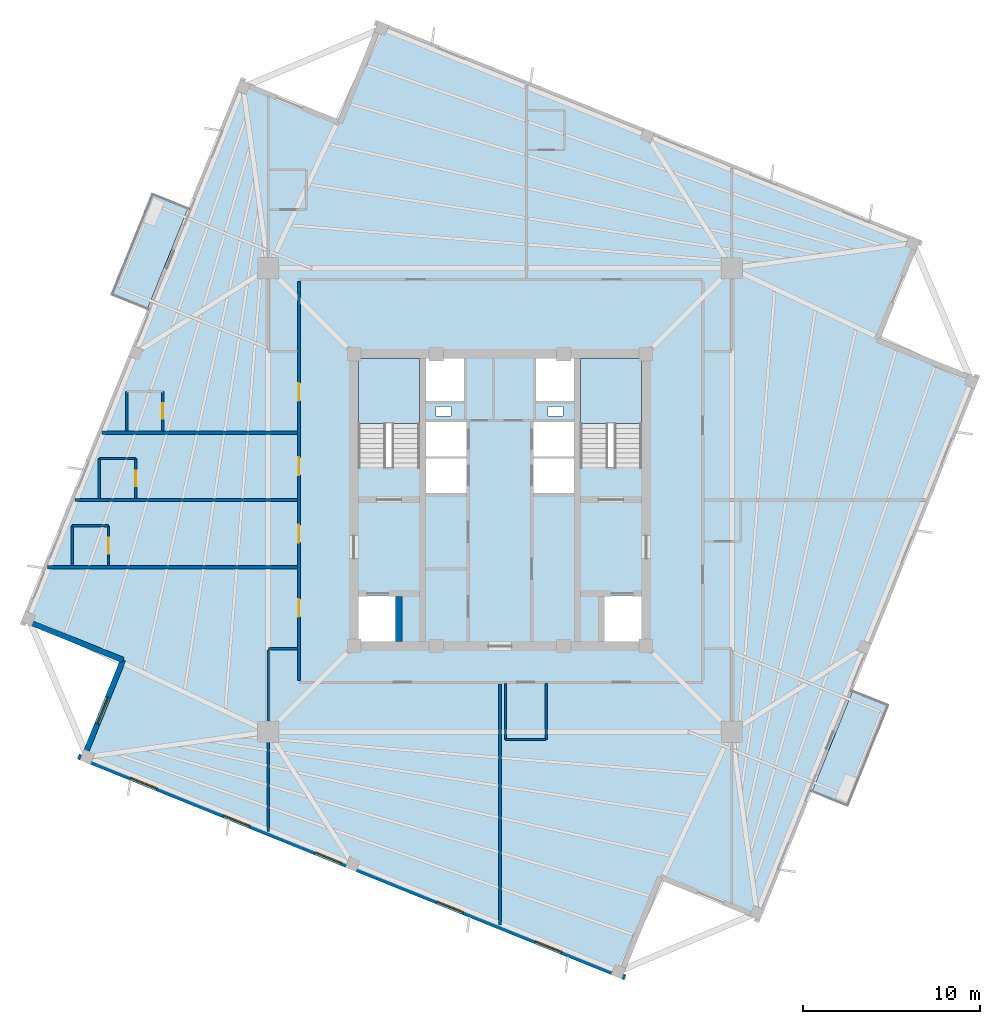
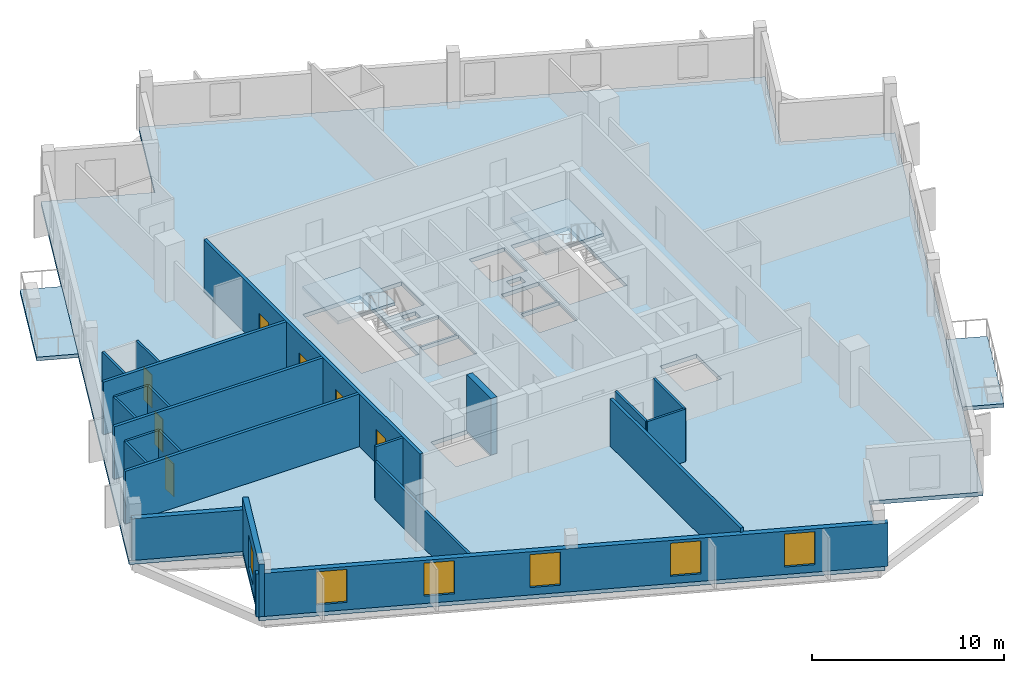
# One storey, part 2 of 8: 22 walls, 7 doors, 6 windows, 5 slabs, 13 openings, 2 elements without a shape of their own.
"""IFC4 building model written with IfcOpenShell, lengths in metres."""

from ifc_helpers import new_model, si_unit, direction, frame, frame_2d, origin, place, context, subcontext, project, spatial, polyline, rectangle, outline, extrude, source, transform, mapped, material, layer, layer_set, type_object, element, fill, aggregate, save


model = new_model("IFC4")

# Units and contexts
model_context = context("Model", 3, precision=1e-05, world=origin(), true_north=direction((0.0, 1.0)))
body_context = subcontext(model_context, "Body", "Model", "MODEL_VIEW")
ifc_project = project(units=[si_unit("LENGTHUNIT", "METRE"), si_unit("AREAUNIT", "SQUARE_METRE"), si_unit("VOLUMEUNIT", "CUBIC_METRE"), si_unit("PLANEANGLEUNIT", "RADIAN"), si_unit("MASSUNIT", "GRAM", prefix="KILO"), si_unit("THERMODYNAMICTEMPERATUREUNIT", "KELVIN")], contexts=[model_context])

# Site, building, storey
site_placement = place(None, origin())
site = spatial("IfcSite", under=ifc_project, at=site_placement, CompositionType="ELEMENT")
building_placement = place(site_placement, origin())
building = spatial("IfcBuilding", under=site, at=building_placement, Name="Kosmvard Interchange Tower", CompositionType="ELEMENT")
storey_placement = place(building_placement, frame((0.0, 0.0, 294.0)))
storey = spatial("IfcBuildingStorey", under=building, at=storey_placement, Name="L72", CompositionType="ELEMENT", Elevation=294.0)

# Slab
ifc_material_1 = material(Name="Concrete C50/60", Category="concrete")
ifc_layer_1 = layer(ifc_material_1, 0.25, Name="Concrete C50/60")
ifc_layer_set_1 = layer_set([ifc_layer_1], Name="Concrete C50/60")
slab_type_1 = type_object("IfcSlabType", Name="Hotel Acoustic Floor Slab 250 C50/60", PredefinedType="FLOOR", material=ifc_layer_set_1)
slab_1_placement = place(storey_placement, frame((0.0, 0.0, -0.25)))
element("IfcSlab", 1, at=slab_1_placement, inside=storey, type_object=slab_type_1, Name="L72 Structural Floor Slab", PredefinedType="FLOOR", context=body_context, shape_type="SweptSolid", body=[
    extrude(outline(polyline([(14.6806640625, -23.727294921875), (27.042724609375, 6.869873046875), (21.4794921875, 9.117431640625), (23.727294921875, 14.6806640625), (-6.869873046875, 27.042724609375), (-9.117431640625, 21.4794921875), (-14.6806640625, 23.727294921875), (-27.042724609375, -6.869873046875), (-21.4794921875, -9.117431640625), (-23.727294921875, -14.6806640625), (6.869873046875, -27.042724609375), (9.117431640625, -21.4794921875), (14.6806640625, -23.727294921875)]), holes=[polyline([(-8.0, 1.8349609375), (-4.5400390625, 1.8349609375), (-4.5400390625, 8.0), (-8.0, 8.0), (-8.0, 1.8349609375)]), polyline([(4.5400390625, 1.8349609375), (8.0, 1.8349609375), (8.0, 8.0), (4.5400390625, 8.0), (4.5400390625, 1.8349609375)]), polyline([(-8.0, -8.0), (-5.800048828125, -8.0), (-5.800048828125, -5.39990234375), (-8.0, -5.39990234375), (-8.0, -8.0)]), polyline([(5.800048828125, -8.0), (8.0, -8.0), (8.0, -5.39990234375), (5.800048828125, -5.39990234375), (5.800048828125, -8.0)]), polyline([(-4.179931640625, 0.39990234375), (-1.8798828125, 0.39990234375), (-1.8798828125, 2.340087890625), (-4.179931640625, 2.340087890625), (-4.179931640625, 0.39990234375)]), polyline([(-4.179931640625, 2.4599609375), (-1.8798828125, 2.4599609375), (-1.8798828125, 4.39990234375), (-4.179931640625, 4.39990234375), (-4.179931640625, 2.4599609375)]), polyline([(1.8798828125, 0.39990234375), (4.179931640625, 0.39990234375), (4.179931640625, 2.340087890625), (1.8798828125, 2.340087890625), (1.8798828125, 0.39990234375)]), polyline([(1.8798828125, 2.4599609375), (4.179931640625, 2.4599609375), (4.179931640625, 4.39990234375), (1.8798828125, 4.39990234375), (1.8798828125, 2.4599609375)]), polyline([(-4.179931640625, 5.60009765625), (-2.0400390625, 5.60009765625), (-2.0400390625, 8.0), (-4.179931640625, 8.0), (-4.179931640625, 5.60009765625)]), polyline([(2.0400390625, 5.60009765625), (4.179931640625, 5.60009765625), (4.179931640625, 8.0), (2.0400390625, 8.0), (2.0400390625, 5.60009765625)]), polyline([(-3.614990234375, 4.739990234375), (-2.764892578125, 4.739990234375), (-2.764892578125, 5.2900390625), (-3.614990234375, 5.2900390625), (-3.614990234375, 4.739990234375)]), polyline([(2.715087890625, 4.739990234375), (3.56494140625, 4.739990234375), (3.56494140625, 5.2900390625), (2.715087890625, 5.2900390625), (2.715087890625, 4.739990234375)])]), origin(), (0.0, 0.0, 1.0), 0.25),
])

# Stair, slab
stair_type = type_object("IfcStairType", Name="Dog-Leg Core Exit Stair H3600 C50/60", PredefinedType="HALF_TURN_STAIR", material=ifc_material_1)
stair_1_placement = place(storey_placement, origin())
stair_1 = element("IfcStair", 2, at=stair_1_placement, inside=storey, type_object=stair_type, Name="L72 Protected Exit Stair ST-1", PredefinedType="HALF_TURN_STAIR")
ifc_layer_2 = layer(ifc_material_1, 0.199951171875, Name="Concrete C50/60")
ifc_layer_set_2 = layer_set([ifc_layer_2], Name="Concrete C50/60")
slab_type_2 = type_object("IfcSlabType", Name="Stair Half-Landing Slab 200 C50/60", PredefinedType="LANDING", material=ifc_layer_set_2)
slab_2_placement = place(storey_placement, frame((0.0, 0.0, 1.60009765625)))
slab_2 = element("IfcSlab", 3, at=slab_2_placement, type_object=slab_type_2, Name="ST-1 landing 1", PredefinedType="LANDING", context=body_context, shape_type="SweptSolid", body=[
    extrude(outline(polyline([(-4.5400390625, 4.320068359375), (-4.5400390625, 8.0), (-8.0, 8.0), (-8.0, 4.320068359375), (-4.5400390625, 4.320068359375)])), origin(), (0.0, 0.0, 1.0), 0.199951171875),
])
aggregate(stair_1, [slab_2])

stair_2_placement = place(storey_placement, origin())
stair_2 = element("IfcStair", 4, at=stair_2_placement, inside=storey, type_object=stair_type, Name="L72 Protected Exit Stair ST-2", PredefinedType="HALF_TURN_STAIR")
slab_3_placement = place(storey_placement, frame((0.0, 0.0, 1.60009765625)))
slab_3 = element("IfcSlab", 5, at=slab_3_placement, type_object=slab_type_2, Name="ST-2 landing 1", PredefinedType="LANDING", context=body_context, shape_type="SweptSolid", body=[
    extrude(outline(polyline([(8.0, 4.320068359375), (8.0, 8.0), (4.5400390625, 8.0), (4.5400390625, 4.320068359375), (8.0, 4.320068359375)])), origin(), (0.0, 0.0, 1.0), 0.199951171875),
])
aggregate(stair_2, [slab_3])

# Slabs
ifc_layer_3 = layer(ifc_material_1, 0.22998046875, Name="Concrete C50/60")
ifc_layer_set_3 = layer_set([ifc_layer_3], Name="Concrete C50/60")
slab_type_3 = type_object("IfcSlabType", Name="Tree-Planter Cantilever Balcony Slab 230 C50/60", PredefinedType="FLOOR", material=ifc_layer_set_3)
slab_4_placement = place(storey_placement, frame((0.0, 0.0, -0.22998046875)))
element("IfcSlab", 6, at=slab_4_placement, inside=storey, type_object=slab_type_3, Name="L72 Outdoor Terrace Balcony Slab BAL-L72-N", PredefinedType="FLOOR", context=body_context, shape_type="SweptSolid", body=[
    extrude(outline(polyline([(-19.925048828125, 10.74658203125), (-17.6025390625, 16.4951171875), (-19.642333984375, 17.3193359375), (-21.96484375, 11.57080078125), (-19.925048828125, 10.74658203125)])), origin(), (0.0, 0.0, 1.0), 0.22998046875),
])
slab_5_placement = place(storey_placement, frame((0.0, 0.0, -0.22998046875)))
element("IfcSlab", 7, at=slab_5_placement, inside=storey, type_object=slab_type_3, Name="L72 Outdoor Terrace Balcony Slab BAL-L72-S", PredefinedType="FLOOR", context=body_context, shape_type="SweptSolid", body=[
    extrude(outline(polyline([(19.642333984375, -17.3193359375), (21.96484375, -11.57080078125), (19.925048828125, -10.74658203125), (17.6025390625, -16.4951171875), (19.642333984375, -17.3193359375)])), origin(), (0.0, 0.0, 1.0), 0.22998046875),
])

# Walls
ifc_material_2 = material(Name="Acoustic gypsum partition system")
ifc_layer_4 = layer(ifc_material_2, 0.14990234375, Name="Acoustic gypsum partition system")
ifc_layer_set_4 = layer_set([ifc_layer_4], Name="Acoustic gypsum partition system")
wall_type_1 = type_object("IfcWallType", Name="Acoustic Suite & Meeting Partition 150", PredefinedType="PARTITIONING", material=ifc_layer_set_4)
wall_1_placement = place(storey_placement, frame((-11.445068359375, -8.39990234375, 0.0), z_axis=(0.0, 0.0, 1.0), x_axis=(-1.0, 0.0, 0.0)))
element("IfcWall", 8, at=wall_1_placement, inside=storey, type_object=wall_type_1, Name="L72 Room Partition 13.1", PredefinedType="PARTITIONING", context=body_context, shape_type="SweptSolid", body=[
    extrude(rectangle(XDim=1.635986328125, YDim=0.14990234375, at=frame_2d((0.81787109375, 0.0))), origin(), (0.0, 0.0, 1.0), 3.35009765625),
])
wall_2_placement = place(storey_placement, frame((-13.0810546875, -8.47509765625, 0.0), z_axis=(0.0, 0.0, 1.0), x_axis=(0.0, -1.0, 0.0)))
element("IfcWall", 9, at=wall_2_placement, inside=storey, type_object=wall_type_1, Name="L72 Room Partition 14.1", PredefinedType="PARTITIONING", context=body_context, shape_type="SweptSolid", body=[
    extrude(rectangle(XDim=10.24267578125, YDim=0.14990234375, at=frame_2d((5.121337890625, 0.0))), origin(), (0.0, 0.0, 1.0), 2.449951171875),
])

# Wall, openings, doors
ifc_material_3 = material(Name="Fire-rated gypsum partition system")
ifc_layer_5 = layer(ifc_material_3, 0.179931640625, Name="Fire-rated gypsum partition system")
ifc_layer_set_5 = layer_set([ifc_layer_5], Name="Fire-rated gypsum partition system")
wall_type_2 = type_object("IfcWallType", Name="Corridor & Hotel Compartment Partition 180", PredefinedType="PARTITIONING", material=ifc_layer_set_5)
wall_3_placement = place(storey_placement, frame((-11.35009765625, -10.199951171875, 0.0), z_axis=(0.0, 0.0, 1.0), x_axis=(0.0, 1.0, 0.0)))
wall_3 = element("IfcWall", 10, at=wall_3_placement, inside=storey, type_object=wall_type_2, Name="L72 Corridor Wall CW", PredefinedType="PARTITIONING", context=body_context, shape_type="SweptSolid", body=[
    extrude(rectangle(XDim=22.550048828125, YDim=0.179931640625, at=frame_2d((11.27490234375, 0.0))), origin(), (0.0, 0.0, 1.0), 3.35009765625),
])
opening_1_placement = place(wall_3_placement, frame((11.60009765625, 0.0, 0.0)))
opening_1 = element("IfcOpeningElement", 11, at=opening_1_placement, cuts=wall_3, Name="Opening L72-D02", PredefinedType="OPENING", context=body_context, shape_type="SweptSolid", body=[
    extrude(rectangle(XDim=1.0, YDim=2.14990234375, at=frame_2d((0.5, 1.074951171875))), frame((0.0, 0.10009765625, 0.0), z_axis=(0.0, -1.0, 0.0), x_axis=(1.0, 0.0, 0.0)), (0.0, 0.0, 1.0), 0.199951171875),
])
opening_2_placement = place(wall_3_placement, frame((15.800048828125, 0.0, 0.0)))
opening_2 = element("IfcOpeningElement", 12, at=opening_2_placement, cuts=wall_3, Name="Opening L72-D04", PredefinedType="OPENING", context=body_context, shape_type="SweptSolid", body=[
    extrude(rectangle(XDim=1.0, YDim=2.14990234375, at=frame_2d((0.5, 1.074951171875))), frame((0.0, 0.10009765625, 0.0), z_axis=(0.0, -1.0, 0.0), x_axis=(1.0, 0.0, 0.0)), (0.0, 0.0, 1.0), 0.199951171875),
])
opening_3_placement = place(wall_3_placement, frame((3.60009765625, 0.0, 0.0)))
opening_3 = element("IfcOpeningElement", 13, at=opening_3_placement, cuts=wall_3, Name="Opening L72-D15", PredefinedType="OPENING", context=body_context, shape_type="SweptSolid", body=[
    extrude(rectangle(XDim=1.0, YDim=2.14990234375, at=frame_2d((0.5, 1.074951171875))), frame((0.0, 0.10009765625, 0.0), z_axis=(0.0, -1.0, 0.0), x_axis=(1.0, 0.0, 0.0)), (0.0, 0.0, 1.0), 0.199951171875),
])
opening_4_placement = place(wall_3_placement, frame((7.800048828125, 0.0, 0.0)))
opening_4 = element("IfcOpeningElement", 14, at=opening_4_placement, cuts=wall_3, Name="Opening L72-D16", PredefinedType="OPENING", context=body_context, shape_type="SweptSolid", body=[
    extrude(rectangle(XDim=1.0, YDim=2.14990234375, at=frame_2d((0.5, 1.074951171875))), frame((0.0, 0.10009765625, 0.0), z_axis=(0.0, -1.0, 0.0), x_axis=(1.0, 0.0, 0.0)), (0.0, 0.0, 1.0), 0.199951171875),
])
ifc_material_4 = material(Name="Engineered oak fire-rated timber", Category="wood")
door_type_1 = type_object("IfcDoorType", Name="Hotel Guestroom Entrance Door 1000x2150 EI60", OperationType="NOTDEFINED", PredefinedType="DOOR", material=ifc_material_4)
shared_shape_1 = source(origin(), body_context, "Body", "SweptSolid", [
    extrude(rectangle(XDim=1.0, YDim=2.14990234375, at=frame_2d((0.5, 1.074951171875))), frame((0.0, 0.02490234375, 0.0), z_axis=(0.0, -1.0, 0.0), x_axis=(1.0, 0.0, 0.0)), (0.0, 0.0, 1.0), 0.050048828125),
])
door_1_placement = place(opening_1_placement, origin())
door_1 = element("IfcDoor", 15, at=door_1_placement, inside=storey, type_object=door_type_1, Name="L72 Hotel Diplomatic Suite 1 Door", OperationType="SINGLE_SWING_RIGHT", OverallHeight=2.14990234375, OverallWidth=1.0, PredefinedType="DOOR", context=body_context, shape_type="MappedRepresentation", body=[
    mapped(shared_shape_1, transform((0.0, 0.0, 0.0), scale=1.0)),
])
fill(opening_1, door_1)
door_2_placement = place(opening_2_placement, origin())
door_2 = element("IfcDoor", 16, at=door_2_placement, inside=storey, type_object=door_type_1, Name="L72 Hotel Ambassador Suite 2 Door", OperationType="SINGLE_SWING_RIGHT", OverallHeight=2.14990234375, OverallWidth=1.0, PredefinedType="DOOR", context=body_context, shape_type="MappedRepresentation", body=[
    mapped(shared_shape_1, transform((0.0, 0.0, 0.0), scale=1.0)),
])
fill(opening_2, door_2)
door_3_placement = place(opening_3_placement, origin())
door_3 = element("IfcDoor", 17, at=door_3_placement, inside=storey, type_object=door_type_1, Name="L72 Hotel Treaty Briefing Room 2 Door", OperationType="SINGLE_SWING_LEFT", OverallHeight=2.14990234375, OverallWidth=1.0, PredefinedType="DOOR", context=body_context, shape_type="MappedRepresentation", body=[
    mapped(shared_shape_1, transform((0.0, 0.0, 0.0), scale=1.0)),
])
fill(opening_3, door_3)
door_4_placement = place(opening_4_placement, origin())
door_4 = element("IfcDoor", 18, at=door_4_placement, inside=storey, type_object=door_type_1, Name="L72 Hotel North-West Corner Suite 6 Door", OperationType="SINGLE_SWING_RIGHT", OverallHeight=2.14990234375, OverallWidth=1.0, PredefinedType="DOOR", context=body_context, shape_type="MappedRepresentation", body=[
    mapped(shared_shape_1, transform((0.0, 0.0, 0.0), scale=1.0)),
])
fill(opening_4, door_4)

# Walls
wall_4_placement = place(storey_placement, frame((0.0, -10.39501953125, 0.0), z_axis=(0.0, 0.0, 1.0), x_axis=(0.0, -1.0, 0.0)))
element("IfcWall", 19, at=wall_4_placement, inside=storey, type_object=wall_type_2, Name="L72 Room Partition 03.1", PredefinedType="PARTITIONING", context=body_context, shape_type="SweptSolid", body=[
    extrude(rectangle(XDim=13.607666015625, YDim=0.179931640625, at=frame_2d((6.8037109375, 0.0))), origin(), (0.0, 0.0, 1.0), 3.02001953125),
])
wall_5_placement = place(storey_placement, frame((-11.445068359375, -3.800048828125, 0.0), z_axis=(0.0, 0.0, 1.0), x_axis=(-1.0, 0.0, 0.0)))
element("IfcWall", 20, at=wall_5_placement, inside=storey, type_object=wall_type_2, Name="L72 Room Partition 04.1", PredefinedType="PARTITIONING", context=body_context, shape_type="SweptSolid", body=[
    extrude(rectangle(XDim=14.093017578125, YDim=0.179931640625, at=frame_2d((7.04638671875, 0.0))), origin(), (0.0, 0.0, 1.0), 3.35009765625),
])
wall_6_placement = place(storey_placement, frame((-11.445068359375, 0.0, 0.0), z_axis=(0.0, 0.0, 1.0), x_axis=(-1.0, 0.0, 0.0)))
element("IfcWall", 21, at=wall_6_placement, inside=storey, type_object=wall_type_2, Name="L72 Room Partition 05.1", PredefinedType="PARTITIONING", context=body_context, shape_type="SweptSolid", body=[
    extrude(rectangle(XDim=12.5576171875, YDim=0.179931640625, at=frame_2d((6.27880859375, 0.0))), origin(), (0.0, 0.0, 1.0), 3.35009765625),
])
wall_7_placement = place(storey_placement, frame((-11.445068359375, 3.800048828125, 0.0), z_axis=(0.0, 0.0, 1.0), x_axis=(-1.0, 0.0, 0.0)))
element("IfcWall", 22, at=wall_7_placement, inside=storey, type_object=wall_type_2, Name="L72 Room Partition 06.1", PredefinedType="PARTITIONING", context=body_context, shape_type="SweptSolid", body=[
    extrude(rectangle(XDim=11.0224609375, YDim=0.179931640625, at=frame_2d((5.51123046875, 0.0))), origin(), (0.0, 0.0, 1.0), 3.35009765625),
])
ifc_material_5 = material(Name="Concrete C60/75", Category="concrete")
ifc_layer_6 = layer(ifc_material_5, 0.360107421875, Name="Concrete C60/75")
ifc_layer_set_6 = layer_set([ifc_layer_6], Name="Concrete C60/75")
wall_type_3 = type_object("IfcWallType", Name="Stair & Lift Shaft Shear Wall 360 C60/75", PredefinedType="SHEAR", material=ifc_layer_set_6)
wall_8_placement = place(storey_placement, frame((-5.7099609375, -8.0, 0.0), z_axis=(0.0, 0.0, 1.0), x_axis=(0.0, 1.0, 0.0)))
element("IfcWall", 23, at=wall_8_placement, inside=storey, type_object=wall_type_3, Name="L72 Shaft Shear Wall SW-SM1", PredefinedType="SHEAR", context=body_context, shape_type="SweptSolid", body=[
    extrude(rectangle(XDim=2.5400390625, YDim=0.360107421875, at=frame_2d((1.27001953125, 0.0))), origin(), (0.0, 0.0, 1.0), 3.60009765625),
])
ifc_material_6 = material(Name="Precast concrete C45/55", Category="concrete")
ifc_layer_7 = layer(ifc_material_6, 0.31005859375, Name="Precast concrete C45/55")
ifc_layer_set_7 = layer_set([ifc_layer_7], Name="Precast concrete C45/55")
wall_type_4 = type_object("IfcWallType", Name="Upper Tower Precast Pier Wall 310 C45/55", PredefinedType="STANDARD", material=ifc_layer_set_7)
wall_9_placement = place(storey_placement, frame((-26.8408203125, -6.7841796875, 0.0), z_axis=(0.0, 0.0, 1.0), x_axis=(0.927171722085, -0.374636620962, 0.0)))
element("IfcWall", 24, at=wall_9_placement, inside=storey, type_object=wall_type_4, Name="L72 Precast Facade Wall N-NW1", PredefinedType="STANDARD", context=body_context, shape_type="SweptSolid", body=[
    extrude(rectangle(XDim=6.0, YDim=0.31005859375, at=frame_2d((3.0, 0.0))), origin(), (0.0, 0.0, 1.0), 2.64990234375),
])

# Wall, opening, window
wall_10_placement = place(storey_placement, frame((-21.27783203125, -9.031982421875, 0.0), z_axis=(0.0, 0.0, 1.0), x_axis=(-0.374602739196, -0.927185411764, 0.0)))
wall_10 = element("IfcWall", 25, at=wall_10_placement, inside=storey, type_object=wall_type_4, Name="L72 Precast Facade Wall N-NW2", PredefinedType="STANDARD", context=body_context, shape_type="SweptSolid", body=[
    extrude(rectangle(XDim=6.155029296875, YDim=0.31005859375, at=frame_2d((3.07763671875, 0.0))), origin(), (0.0, 0.0, 1.0), 3.35009765625),
])
opening_5_placement = place(wall_10_placement, frame((2.277587890625, 0.0, 0.469970703125)))
opening_5 = element("IfcOpeningElement", 26, at=opening_5_placement, cuts=wall_10, Name="Opening L72-W22", PredefinedType="OPENING", context=body_context, shape_type="SweptSolid", body=[
    extrude(rectangle(XDim=1.60009765625, YDim=2.10009765625, at=frame_2d((0.800048828125, 1.050048828125))), frame((0.0, 0.1650390625, 0.0), z_axis=(0.0, -1.0, 0.0), x_axis=(1.0, 0.0, 0.0)), (0.0, 0.0, 1.0), 0.330078125),
])
ifc_material_7 = material(Name="Low-E acoustic double glazing", Category="glass")
window_type = type_object("IfcWindowType", Name="Zone 5 Hotel Punched Window 1600x2100", PartitioningType="SINGLE_PANEL", PredefinedType="WINDOW", material=ifc_material_7)
shared_shape_2 = source(origin(), body_context, "Body", "SweptSolid", [
    extrude(rectangle(XDim=1.60009765625, YDim=2.10009765625, at=frame_2d((0.800048828125, 1.050048828125))), frame((0.0, 0.030029296875, 0.0), z_axis=(0.0, -1.0, 0.0), x_axis=(1.0, 0.0, 0.0)), (0.0, 0.0, 1.0), 0.06005859375),
])
window_1_placement = place(opening_5_placement, origin())
window_1 = element("IfcWindow", 27, at=window_1_placement, inside=storey, type_object=window_type, Name="L72 Corner Notch Window 22", OverallHeight=2.10009765625, OverallWidth=1.60009765625, PartitioningType="SINGLE_PANEL", PredefinedType="WINDOW", context=body_context, shape_type="MappedRepresentation", body=[
    mapped(shared_shape_2, transform((0.0, 0.0, 0.0), scale=1.0)),
])
fill(opening_5, window_1)

# Wall, openings, windows
wall_11_placement = place(storey_placement, frame((-23.812744140625, -14.478759765625, 0.0), z_axis=(0.0, 0.0, 1.0), x_axis=(0.927182657188, -0.374609557019, 0.0)))
wall_11 = element("IfcWall", 28, at=wall_11_placement, inside=storey, type_object=wall_type_4, Name="L72 Precast Facade Wall F-W", PredefinedType="STANDARD", context=body_context, shape_type="SweptSolid", body=[
    extrude(rectangle(XDim=33.31005859375, YDim=0.31005859375, at=frame_2d((16.655029296875, 0.0))), origin(), (0.0, 0.0, 1.0), 2.75),
])
opening_6_placement = place(wall_11_placement, frame((3.197265625, 0.0, 0.469970703125)))
opening_6 = element("IfcOpeningElement", 29, at=opening_6_placement, cuts=wall_11, Name="Opening L72-W15", PredefinedType="OPENING", context=body_context, shape_type="SweptSolid", body=[
    extrude(rectangle(XDim=1.60009765625, YDim=2.10009765625, at=frame_2d((0.800048828125, 1.050048828125))), frame((0.0, 0.1650390625, 0.0), z_axis=(0.0, -1.0, 0.0), x_axis=(1.0, 0.0, 0.0)), (0.0, 0.0, 1.0), 0.330078125),
])
opening_7_placement = place(wall_11_placement, frame((8.85986328125, 0.0, 0.469970703125)))
opening_7 = element("IfcOpeningElement", 30, at=opening_7_placement, cuts=wall_11, Name="Opening L72-W16", PredefinedType="OPENING", context=body_context, shape_type="SweptSolid", body=[
    extrude(rectangle(XDim=1.60009765625, YDim=2.10009765625, at=frame_2d((0.800048828125, 1.050048828125))), frame((0.0, 0.1650390625, 0.0), z_axis=(0.0, -1.0, 0.0), x_axis=(1.0, 0.0, 0.0)), (0.0, 0.0, 1.0), 0.330078125),
])
opening_8_placement = place(wall_11_placement, frame((14.438720703125, 0.0, 0.469970703125)))
opening_8 = element("IfcOpeningElement", 31, at=opening_8_placement, cuts=wall_11, Name="Opening L72-W17", PredefinedType="OPENING", context=body_context, shape_type="SweptSolid", body=[
    extrude(rectangle(XDim=1.60009765625, YDim=2.10009765625, at=frame_2d((0.800048828125, 1.050048828125))), frame((0.0, 0.1650390625, 0.0), z_axis=(0.0, -1.0, 0.0), x_axis=(1.0, 0.0, 0.0)), (0.0, 0.0, 1.0), 0.330078125),
])
opening_9_placement = place(wall_11_placement, frame((21.850830078125, 0.0, 0.469970703125)))
opening_9 = element("IfcOpeningElement", 32, at=opening_9_placement, cuts=wall_11, Name="Opening L72-W18", PredefinedType="OPENING", context=body_context, shape_type="SweptSolid", body=[
    extrude(rectangle(XDim=1.60009765625, YDim=2.10009765625, at=frame_2d((0.800048828125, 1.050048828125))), frame((0.0, 0.1650390625, 0.0), z_axis=(0.0, -1.0, 0.0), x_axis=(1.0, 0.0, 0.0)), (0.0, 0.0, 1.0), 0.330078125),
])
opening_10_placement = place(wall_11_placement, frame((27.8466796875, 0.0, 0.469970703125)))
opening_10 = element("IfcOpeningElement", 33, at=opening_10_placement, cuts=wall_11, Name="Opening L72-W19", PredefinedType="OPENING", context=body_context, shape_type="SweptSolid", body=[
    extrude(rectangle(XDim=1.60009765625, YDim=2.10009765625, at=frame_2d((0.800048828125, 1.050048828125))), frame((0.0, 0.1650390625, 0.0), z_axis=(0.0, -1.0, 0.0), x_axis=(1.0, 0.0, 0.0)), (0.0, 0.0, 1.0), 0.330078125),
])
window_2_placement = place(opening_6_placement, origin())
window_2 = element("IfcWindow", 34, at=window_2_placement, inside=storey, type_object=window_type, Name="L72 Facade Punched Window 15", OverallHeight=2.10009765625, OverallWidth=1.60009765625, PartitioningType="SINGLE_PANEL", PredefinedType="WINDOW", context=body_context, shape_type="MappedRepresentation", body=[
    mapped(shared_shape_2, transform((0.0, 0.0, 0.0), scale=1.0)),
])
fill(opening_6, window_2)
window_3_placement = place(opening_7_placement, origin())
window_3 = element("IfcWindow", 35, at=window_3_placement, inside=storey, type_object=window_type, Name="L72 Facade Punched Window 16", OverallHeight=2.10009765625, OverallWidth=1.60009765625, PartitioningType="SINGLE_PANEL", PredefinedType="WINDOW", context=body_context, shape_type="MappedRepresentation", body=[
    mapped(shared_shape_2, transform((0.0, 0.0, 0.0), scale=1.0)),
])
fill(opening_7, window_3)
window_4_placement = place(opening_8_placement, origin())
window_4 = element("IfcWindow", 36, at=window_4_placement, inside=storey, type_object=window_type, Name="L72 Facade Punched Window 17", OverallHeight=2.10009765625, OverallWidth=1.60009765625, PartitioningType="SINGLE_PANEL", PredefinedType="WINDOW", context=body_context, shape_type="MappedRepresentation", body=[
    mapped(shared_shape_2, transform((0.0, 0.0, 0.0), scale=1.0)),
])
fill(opening_8, window_4)
window_5_placement = place(opening_9_placement, origin())
window_5 = element("IfcWindow", 37, at=window_5_placement, inside=storey, type_object=window_type, Name="L72 Facade Punched Window 18", OverallHeight=2.10009765625, OverallWidth=1.60009765625, PartitioningType="SINGLE_PANEL", PredefinedType="WINDOW", context=body_context, shape_type="MappedRepresentation", body=[
    mapped(shared_shape_2, transform((0.0, 0.0, 0.0), scale=1.0)),
])
fill(opening_9, window_5)
window_6_placement = place(opening_10_placement, origin())
window_6 = element("IfcWindow", 38, at=window_6_placement, inside=storey, type_object=window_type, Name="L72 Facade Punched Window 19", OverallHeight=2.10009765625, OverallWidth=1.60009765625, PartitioningType="SINGLE_PANEL", PredefinedType="WINDOW", context=body_context, shape_type="MappedRepresentation", body=[
    mapped(shared_shape_2, transform((0.0, 0.0, 0.0), scale=1.0)),
])
fill(opening_10, window_6)

# Walls
ifc_material_8 = material(Name="Moisture-resistant gypsum partition")
ifc_layer_8 = layer(ifc_material_8, 0.135009765625, Name="Moisture-resistant gypsum partition")
ifc_layer_set_8 = layer_set([ifc_layer_8], Name="Moisture-resistant gypsum partition")
wall_type_5 = type_object("IfcWallType", Name="Wet Room Moisture-Resistant Partition 135", PredefinedType="PARTITIONING", material=ifc_layer_set_8)
wall_12_placement = place(storey_placement, frame((0.31103515625, -13.52001953125, 0.0), z_axis=(0.0, 0.0, 1.0), x_axis=(1.0, 0.0, 0.0)))
element("IfcWall", 39, at=wall_12_placement, inside=storey, type_object=wall_type_5, Name="L72 Washroom Partition HAWC-S", PredefinedType="PARTITIONING", context=body_context, shape_type="SweptSolid", body=[
    extrude(rectangle(XDim=2.300048828125, YDim=0.135009765625, at=frame_2d((1.14990234375, 0.0))), origin(), (0.0, 0.0, 1.0), 3.35009765625),
])
for number, where, z_axis, x_axis, name in (
    (40, (2.611083984375, -13.52001953125, 0.0), (0.0, 0.0, 1.0), (0.0, 1.0, 0.0), "L72 Washroom Partition HAWC-E"),
    (41, (0.31103515625, -13.52001953125, 0.0), (0.0, 0.0, 1.0), (0.0, 1.0, 0.0), "L72 Washroom Partition HAWC-W"),
):
    element("IfcWall", number, at=place(storey_placement, frame(where, z_axis=z_axis, x_axis=x_axis)), inside=storey, type_object=wall_type_5, Name=name, PredefinedType="PARTITIONING", context=body_context, shape_type="SweptSolid", body=[
        extrude(rectangle(XDim=3.199951171875, YDim=0.135009765625, at=frame_2d((1.60009765625, 0.0))), origin(), (0.0, 0.0, 1.0), 3.35009765625),
    ])

# Wall, opening, door
wall_13_placement = place(storey_placement, frame((-20.569580078125, 0.090087890625, 0.0), z_axis=(0.0, 0.0, 1.0), x_axis=(0.0, 1.0, 0.0)))
wall_13 = element("IfcWall", 42, at=wall_13_placement, inside=storey, type_object=wall_type_5, Name="L72 En-Suite Partition HPS1-E", PredefinedType="PARTITIONING", context=body_context, shape_type="SweptSolid", body=[
    extrude(rectangle(XDim=2.25, YDim=0.135009765625, at=frame_2d((1.125, 0.0))), origin(), (0.0, 0.0, 1.0), 3.35009765625),
])
opening_11_placement = place(wall_13_placement, frame((0.68505859375, 0.0, 0.0)))
opening_11 = element("IfcOpeningElement", 43, at=opening_11_placement, cuts=wall_13, Name="Opening L72-ED03", PredefinedType="OPENING", context=body_context, shape_type="SweptSolid", body=[
    extrude(rectangle(XDim=0.8798828125, YDim=2.10009765625, at=frame_2d((0.43994140625, 1.050048828125))), frame((0.0, 0.07763671875, 0.0), z_axis=(0.0, -1.0, 0.0), x_axis=(1.0, 0.0, 0.0)), (0.0, 0.0, 1.0), 0.155029296875),
])
ifc_material_9 = material(Name="Laminated moisture-resistant timber", Category="wood")
door_type_2 = type_object("IfcDoorType", Name="En-Suite & Washroom Door 880x2100", OperationType="NOTDEFINED", PredefinedType="DOOR", material=ifc_material_9)
shared_shape_3 = source(origin(), body_context, "Body", "SweptSolid", [
    extrude(rectangle(XDim=0.8798828125, YDim=2.10009765625, at=frame_2d((0.43994140625, 1.050048828125))), frame((0.0, 0.02490234375, 0.0), z_axis=(0.0, -1.0, 0.0), x_axis=(1.0, 0.0, 0.0)), (0.0, 0.0, 1.0), 0.050048828125),
])
door_5_placement = place(opening_11_placement, origin())
door_5 = element("IfcDoor", 44, at=door_5_placement, inside=storey, type_object=door_type_2, Name="L72 HPS1 En-Suite Door", OperationType="SINGLE_SWING_RIGHT", OverallHeight=2.10009765625, OverallWidth=0.8798828125, PredefinedType="DOOR", context=body_context, shape_type="MappedRepresentation", body=[
    mapped(shared_shape_3, transform((0.0, 0.0, 0.0), scale=1.0)),
])
fill(opening_11, door_5)

# Walls
wall_14_placement = place(storey_placement, frame((-22.619384765625, 2.340087890625, 0.0), z_axis=(0.0, 0.0, 1.0), x_axis=(1.0, 0.0, 0.0)))
element("IfcWall", 45, at=wall_14_placement, inside=storey, type_object=wall_type_5, Name="L72 En-Suite Partition HPS1-N", PredefinedType="PARTITIONING", context=body_context, shape_type="SweptSolid", body=[
    extrude(rectangle(XDim=2.0498046875, YDim=0.135009765625, at=frame_2d((1.02490234375, 0.0))), origin(), (0.0, 0.0, 1.0), 3.35009765625),
])
wall_15_placement = place(storey_placement, frame((-22.619384765625, 0.090087890625, 0.0), z_axis=(0.0, 0.0, 1.0), x_axis=(0.0, 1.0, 0.0)))
element("IfcWall", 46, at=wall_15_placement, inside=storey, type_object=wall_type_5, Name="L72 En-Suite Partition HPS1-W", PredefinedType="PARTITIONING", context=body_context, shape_type="SweptSolid", body=[
    extrude(rectangle(XDim=2.25, YDim=0.135009765625, at=frame_2d((1.125, 0.0))), origin(), (0.0, 0.0, 1.0), 3.35009765625),
])

# Wall, opening, door
wall_16_placement = place(storey_placement, frame((-19.0341796875, 3.889892578125, 0.0), z_axis=(0.0, 0.0, 1.0), x_axis=(0.0, 1.0, 0.0)))
wall_16 = element("IfcWall", 47, at=wall_16_placement, inside=storey, type_object=wall_type_5, Name="L72 En-Suite Partition HPS2-E", PredefinedType="PARTITIONING", context=body_context, shape_type="SweptSolid", body=[
    extrude(rectangle(XDim=2.25, YDim=0.135009765625, at=frame_2d((1.125, 0.0))), origin(), (0.0, 0.0, 1.0), 3.35009765625),
])
opening_12_placement = place(wall_16_placement, frame((0.68505859375, 0.0, 0.0)))
opening_12 = element("IfcOpeningElement", 48, at=opening_12_placement, cuts=wall_16, Name="Opening L72-ED05", PredefinedType="OPENING", context=body_context, shape_type="SweptSolid", body=[
    extrude(rectangle(XDim=0.8798828125, YDim=2.10009765625, at=frame_2d((0.43994140625, 1.050048828125))), frame((0.0, 0.07763671875, 0.0), z_axis=(0.0, -1.0, 0.0), x_axis=(1.0, 0.0, 0.0)), (0.0, 0.0, 1.0), 0.155029296875),
])
door_6_placement = place(opening_12_placement, origin())
door_6 = element("IfcDoor", 49, at=door_6_placement, inside=storey, type_object=door_type_2, Name="L72 HPS2 En-Suite Door", OperationType="SINGLE_SWING_RIGHT", OverallHeight=2.10009765625, OverallWidth=0.8798828125, PredefinedType="DOOR", context=body_context, shape_type="MappedRepresentation", body=[
    mapped(shared_shape_3, transform((0.0, 0.0, 0.0), scale=1.0)),
])
fill(opening_12, door_6)

# Wall
wall_17_placement = place(storey_placement, frame((-21.084228515625, 3.889892578125, 0.0), z_axis=(0.0, 0.0, 1.0), x_axis=(0.0, 1.0, 0.0)))
element("IfcWall", 50, at=wall_17_placement, inside=storey, type_object=wall_type_5, Name="L72 En-Suite Partition HPS2-W", PredefinedType="PARTITIONING", context=body_context, shape_type="SweptSolid", body=[
    extrude(rectangle(XDim=2.25, YDim=0.135009765625, at=frame_2d((1.125, 0.0))), origin(), (0.0, 0.0, 1.0), 3.35009765625),
])

# Wall, opening, door
wall_18_placement = place(storey_placement, frame((-22.104736328125, -3.7099609375, 0.0), z_axis=(0.0, 0.0, 1.0), x_axis=(0.0, 1.0, 0.0)))
wall_18 = element("IfcWall", 51, at=wall_18_placement, inside=storey, type_object=wall_type_5, Name="L72 En-Suite Partition HPS6-E", PredefinedType="PARTITIONING", context=body_context, shape_type="SweptSolid", body=[
    extrude(rectangle(XDim=2.25, YDim=0.135009765625, at=frame_2d((1.125, 0.0))), origin(), (0.0, 0.0, 1.0), 3.35009765625),
])
opening_13_placement = place(wall_18_placement, frame((0.68505859375, 0.0, 0.0)))
opening_13 = element("IfcOpeningElement", 52, at=opening_13_placement, cuts=wall_18, Name="Opening L72-ED17", PredefinedType="OPENING", context=body_context, shape_type="SweptSolid", body=[
    extrude(rectangle(XDim=0.8798828125, YDim=2.10009765625, at=frame_2d((0.43994140625, 1.050048828125))), frame((0.0, 0.07763671875, 0.0), z_axis=(0.0, -1.0, 0.0), x_axis=(1.0, 0.0, 0.0)), (0.0, 0.0, 1.0), 0.155029296875),
])
door_7_placement = place(opening_13_placement, origin())
door_7 = element("IfcDoor", 53, at=door_7_placement, inside=storey, type_object=door_type_2, Name="L72 HPS6 En-Suite Door", OperationType="SINGLE_SWING_RIGHT", OverallHeight=2.10009765625, OverallWidth=0.8798828125, PredefinedType="DOOR", context=body_context, shape_type="MappedRepresentation", body=[
    mapped(shared_shape_3, transform((0.0, 0.0, 0.0), scale=1.0)),
])
fill(opening_13, door_7)

# Walls
wall_19_placement = place(storey_placement, frame((-24.15478515625, -1.4599609375, 0.0), z_axis=(0.0, 0.0, 1.0), x_axis=(1.0, 0.0, 0.0)))
element("IfcWall", 54, at=wall_19_placement, inside=storey, type_object=wall_type_5, Name="L72 En-Suite Partition HPS6-N", PredefinedType="PARTITIONING", context=body_context, shape_type="SweptSolid", body=[
    extrude(rectangle(XDim=2.050048828125, YDim=0.135009765625, at=frame_2d((1.02490234375, 0.0))), origin(), (0.0, 0.0, 1.0), 3.35009765625),
])
wall_20_placement = place(storey_placement, frame((-24.15478515625, -3.7099609375, 0.0), z_axis=(0.0, 0.0, 1.0), x_axis=(0.0, 1.0, 0.0)))
element("IfcWall", 55, at=wall_20_placement, inside=storey, type_object=wall_type_5, Name="L72 En-Suite Partition HPS6-W", PredefinedType="PARTITIONING", context=body_context, shape_type="SweptSolid", body=[
    extrude(rectangle(XDim=2.25, YDim=0.135009765625, at=frame_2d((1.125, 0.0))), origin(), (0.0, 0.0, 1.0), 3.35009765625),
])

save(model, "model.ifc")
